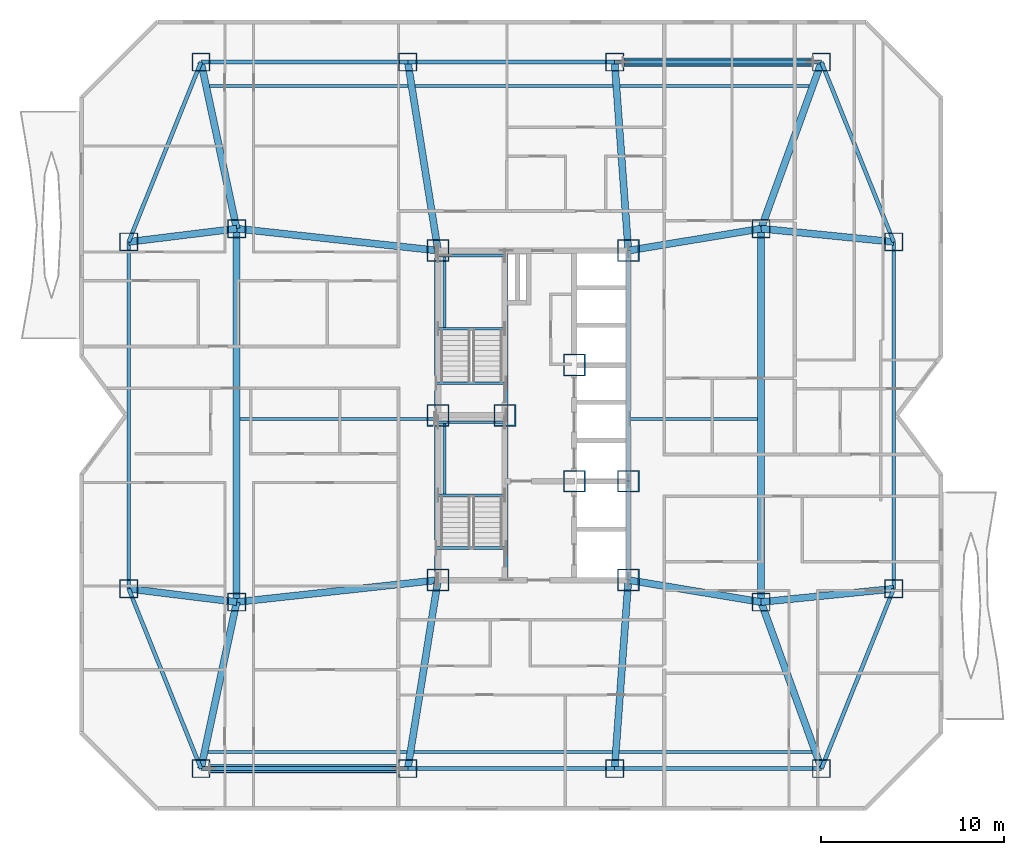
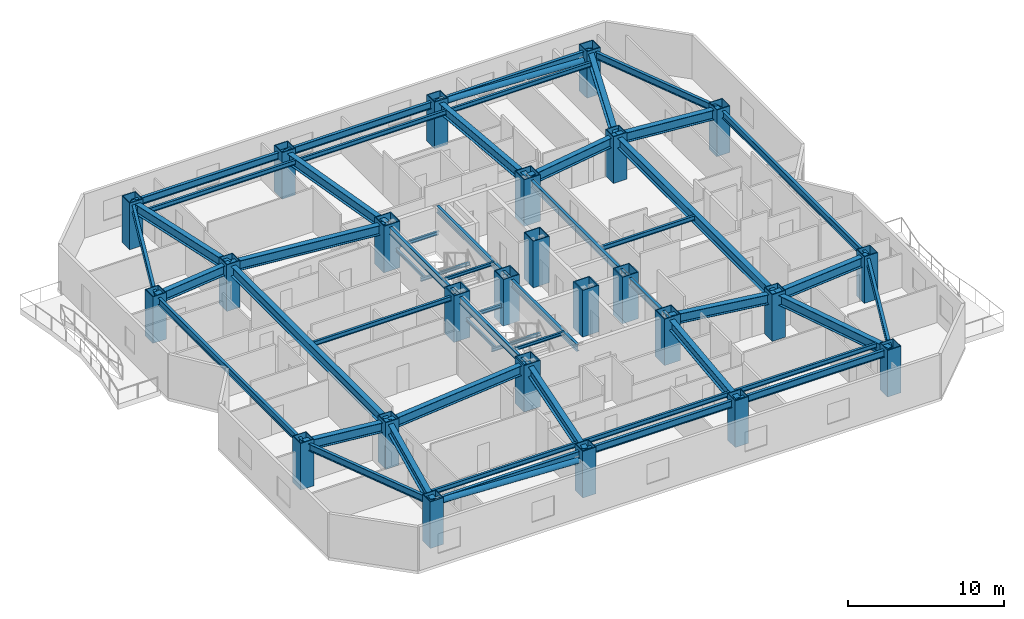
# One storey, part 1 of 14: 52 beams, 25 columns, 2 members.
"""IFC4 building model written with IfcOpenShell, lengths in metres."""

from ifc_helpers import new_model, si_unit, direction, frame, origin, origin_2d, place, context, subcontext, project, spatial, hollow_rectangle, hollow_circle, i_section, extrude, material, material_profile, profile_set, type_object, element, save


model = new_model("IFC4")

# Units and contexts
model_context = context("Model", 3, precision=1e-05, world=origin(), true_north=direction((0.0, 1.0)))
body_context = subcontext(model_context, "Body", "Model", "MODEL_VIEW")
ifc_project = project(units=[si_unit("LENGTHUNIT", "METRE"), si_unit("AREAUNIT", "SQUARE_METRE"), si_unit("VOLUMEUNIT", "CUBIC_METRE"), si_unit("PLANEANGLEUNIT", "RADIAN"), si_unit("MASSUNIT", "GRAM", prefix="KILO")], contexts=[model_context])

# Site, building, storey
site_placement = place(None, origin())
site = spatial("IfcSite", under=ifc_project, at=site_placement, CompositionType="ELEMENT")
building_placement = place(site_placement, origin())
building = spatial("IfcBuilding", under=site, at=building_placement, Name="Khamvora Tower", CompositionType="ELEMENT")
storey_placement = place(building_placement, frame((0.0, 0.0, 123.800048828125)))
storey = spatial("IfcBuildingStorey", under=building, at=storey_placement, Name="L31", CompositionType="ELEMENT", Elevation=123.800048828125)

# Columns
ifc_material_1 = material(Name="Steel S355", Category="steel")
ifc_material_profile_1 = material_profile(ifc_material_1, hollow_rectangle(XDim=1.0, YDim=1.0, WallThickness=0.050048828125, at=origin_2d()), Name="BOX1000x1000x50")
ifc_profile_set_1 = profile_set([ifc_material_profile_1], Name="Steel S355")
column_type_1 = type_object("IfcColumnType", Name="COL-BOX1000", PredefinedType="COLUMN", material=ifc_profile_set_1)
for number, where, z_axis, x_axis, name in (
    (1, (16.050048828125, 8.699951171875, 0.0), (0.0, 0.0, 1.0), (1.0, 0.0, 0.0), "L31 structural frame column S1"),
    (2, (27.35009765625, 8.699951171875, 0.0), (0.0, 0.0, 1.0), (1.0, 0.0, 0.0), "L31 structural frame column S2"),
    (3, (38.64990234375, 8.699951171875, 0.0), (0.0, 0.0, 1.0), (1.0, 0.0, 0.0), "L31 structural frame column S3"),
    (4, (49.949951171875, 8.699951171875, 0.0), (0.0, 0.0, 1.0), (1.0, 0.0, 0.0), "L31 structural frame column S4"),
    (5, (16.050048828125, 47.300048828125, 0.0), (0.0, 0.0, 1.0), (1.0, 0.0, 0.0), "L31 structural frame column N1"),
    (6, (27.35009765625, 47.300048828125, 0.0), (0.0, 0.0, 1.0), (1.0, 0.0, 0.0), "L31 structural frame column N2"),
    (7, (38.64990234375, 47.300048828125, 0.0), (0.0, 0.0, 1.0), (1.0, 0.0, 0.0), "L31 structural frame column N3"),
    (8, (49.949951171875, 47.300048828125, 0.0), (0.0, 0.0, 1.0), (1.0, 0.0, 0.0), "L31 structural frame column N4"),
    (9, (12.10009765625, 18.52490234375, 0.0), (0.0, 0.0, 1.0), (1.0, 0.0, 0.0), "L31 structural frame column W1"),
    (10, (12.10009765625, 37.47509765625, 0.0), (0.0, 0.0, 1.0), (1.0, 0.0, 0.0), "L31 structural frame column W2"),
    (11, (53.89990234375, 18.52490234375, 0.0), (0.0, 0.0, 1.0), (1.0, 0.0, 0.0), "L31 structural frame column E1"),
    (12, (53.89990234375, 37.47509765625, 0.0), (0.0, 0.0, 1.0), (1.0, 0.0, 0.0), "L31 structural frame column E2"),
    (13, (18.0, 17.800048828125, 0.0), (0.0, 0.0, 1.0), (1.0, 0.0, 0.0), "L31 structural frame column MW1"),
    (14, (18.0, 38.199951171875, 0.0), (0.0, 0.0, 1.0), (1.0, 0.0, 0.0), "L31 structural frame column MW2"),
    (15, (46.64990234375, 17.800048828125, 0.0), (0.0, 0.0, 1.0), (1.0, 0.0, 0.0), "L31 structural frame column M1"),
    (16, (46.64990234375, 38.199951171875, 0.0), (0.0, 0.0, 1.0), (1.0, 0.0, 0.0), "L31 structural frame column M2"),
):
    element("IfcColumn", number, at=place(storey_placement, frame(where, z_axis=z_axis, x_axis=x_axis)), inside=storey, type_object=column_type_1, Name=name, PredefinedType="COLUMN", context=body_context, shape_type="SweptSolid", body=[
        extrude(hollow_rectangle(XDim=1.0, YDim=1.0, WallThickness=0.050048828125, at=origin_2d()), origin(), (0.0, 0.0, 1.0), 3.64990234375),
    ])
ifc_material_2 = material(Name="Steel S460", Category="steel")
ifc_material_profile_2 = material_profile(ifc_material_2, hollow_rectangle(XDim=1.199951171875, YDim=1.199951171875, WallThickness=0.06005859375, at=origin_2d()), Name="BOX1200x1200x60")
ifc_profile_set_2 = profile_set([ifc_material_profile_2], Name="Steel S460")
column_type_2 = type_object("IfcColumnType", Name="COL-BOX1200", PredefinedType="COLUMN", material=ifc_profile_set_2)
for number, where, z_axis, x_axis, name in (
    (17, (29.0, 19.0, 0.0), (0.0, 0.0, 1.0), (1.0, 0.0, 0.0), "L31 plumb core spine column SC1"),
    (18, (32.64990234375, 28.0, 0.0), (0.0, 0.0, 1.0), (1.0, 0.0, 0.0), "L31 plumb core spine column SC2"),
    (19, (39.39990234375, 19.0, 0.0), (0.0, 0.0, 1.0), (1.0, 0.0, 0.0), "L31 plumb core spine column SC3"),
    (20, (29.0, 28.0, 0.0), (0.0, 0.0, 1.0), (1.0, 0.0, 0.0), "L31 plumb core spine column SC4"),
    (21, (36.449951171875, 24.39990234375, 0.0), (0.0, 0.0, 1.0), (1.0, 0.0, 0.0), "L31 plumb core spine column SC5"),
    (22, (39.39990234375, 24.39990234375, 0.0), (0.0, 0.0, 1.0), (1.0, 0.0, 0.0), "L31 plumb core spine column SC6"),
    (23, (29.0, 37.0, 0.0), (0.0, 0.0, 1.0), (1.0, 0.0, 0.0), "L31 plumb core spine column SC7"),
    (24, (36.449951171875, 30.75, 0.0), (0.0, 0.0, 1.0), (1.0, 0.0, 0.0), "L31 plumb core spine column SC8"),
    (25, (39.39990234375, 37.0, 0.0), (0.0, 0.0, 1.0), (1.0, 0.0, 0.0), "L31 plumb core spine column SC9"),
):
    element("IfcColumn", number, at=place(storey_placement, frame(where, z_axis=z_axis, x_axis=x_axis)), inside=storey, type_object=column_type_2, Name=name, PredefinedType="COLUMN", context=body_context, shape_type="SweptSolid", body=[
        extrude(hollow_rectangle(XDim=1.199951171875, YDim=1.199951171875, WallThickness=0.06005859375, at=origin_2d()), origin(), (0.0, 0.0, 1.0), 3.64990234375),
    ])

# Beams
ifc_material_profile_3 = material_profile(ifc_material_1, i_section(OverallWidth=0.1708984375, OverallDepth=0.35498046875, WebThickness=0.007080078125, FlangeThickness=0.011962890625, FilletRadius=0.010009765625, at=origin_2d()), Name="W360x51")
ifc_profile_set_3 = profile_set([ifc_material_profile_3], Name="Steel S355")
beam_type_1 = type_object("IfcBeamType", Name="BM-JS-W360x51", PredefinedType="JOIST", material=ifc_profile_set_3)
beam_1_placement = place(storey_placement, frame((16.43310546875, 9.60009765625, 3.2529296875), z_axis=(1.0, 0.0, 0.0), x_axis=(0.0, 1.0, 0.0)))
element("IfcBeam", 26, at=beam_1_placement, inside=storey, type_object=beam_type_1, Name="L31 secondary floor joist 01", PredefinedType="JOIST", context=body_context, shape_type="SweptSolid", body=[
    extrude(i_section(OverallWidth=0.1708984375, OverallDepth=0.35498046875, WebThickness=0.007080078125, FlangeThickness=0.011962890625, FilletRadius=0.010009765625, at=origin_2d()), origin(), (0.0, 0.0, 1.0), 10.872802734375),
])
beam_2_placement = place(storey_placement, frame((27.681884765625, 9.60009765625, 3.2529296875), z_axis=(1.0, 0.0, 0.0), x_axis=(0.0, 1.0, 0.0)))
element("IfcBeam", 27, at=beam_2_placement, inside=storey, type_object=beam_type_1, Name="L31 secondary floor joist 02", PredefinedType="JOIST", context=body_context, shape_type="SweptSolid", body=[
    extrude(i_section(OverallWidth=0.1708984375, OverallDepth=0.35498046875, WebThickness=0.007080078125, FlangeThickness=0.011962890625, FilletRadius=0.010009765625, at=origin_2d()), origin(), (0.0, 0.0, 1.0), 10.84814453125),
])
beam_3_placement = place(storey_placement, frame((38.902099609375, 9.60009765625, 3.2529296875), z_axis=(1.0, 0.0, 0.0), x_axis=(0.0, 1.0, 0.0)))
element("IfcBeam", 28, at=beam_3_placement, inside=storey, type_object=beam_type_1, Name="L31 secondary floor joist 03", PredefinedType="JOIST", context=body_context, shape_type="SweptSolid", body=[
    extrude(i_section(OverallWidth=0.1708984375, OverallDepth=0.35498046875, WebThickness=0.007080078125, FlangeThickness=0.011962890625, FilletRadius=0.010009765625, at=origin_2d()), origin(), (0.0, 0.0, 1.0), 10.52392578125),
])
beam_4_placement = place(storey_placement, frame((18.18603515625, 27.800048828125, 3.2529296875), z_axis=(1.0, 0.0, 0.0), x_axis=(0.0, 1.0, 0.0)))
element("IfcBeam", 29, at=beam_4_placement, inside=storey, type_object=beam_type_1, Name="L31 secondary floor joist 04", PredefinedType="JOIST", context=body_context, shape_type="SweptSolid", body=[
    extrude(i_section(OverallWidth=0.1708984375, OverallDepth=0.35498046875, WebThickness=0.007080078125, FlangeThickness=0.011962890625, FilletRadius=0.010009765625, at=origin_2d()), origin(), (0.0, 0.0, 1.0), 10.614013671875),
])
beam_5_placement = place(storey_placement, frame((39.4990234375, 27.800048828125, 3.2529296875), z_axis=(1.0, 0.0, 0.0), x_axis=(0.0, 1.0, 0.0)))
element("IfcBeam", 30, at=beam_5_placement, inside=storey, type_object=beam_type_1, Name="L31 secondary floor joist 05", PredefinedType="JOIST", context=body_context, shape_type="SweptSolid", body=[
    extrude(i_section(OverallWidth=0.1708984375, OverallDepth=0.35498046875, WebThickness=0.007080078125, FlangeThickness=0.011962890625, FilletRadius=0.010009765625, at=origin_2d()), origin(), (0.0, 0.0, 1.0), 6.966064453125),
])
beam_6_placement = place(storey_placement, frame((16.51806640625, 46.0, 3.2529296875), z_axis=(1.0, 0.0, 0.0), x_axis=(0.0, 1.0, 0.0)))
element("IfcBeam", 31, at=beam_6_placement, inside=storey, type_object=beam_type_1, Name="L31 secondary floor joist 06", PredefinedType="JOIST", context=body_context, shape_type="SweptSolid", body=[
    extrude(i_section(OverallWidth=0.1708984375, OverallDepth=0.35498046875, WebThickness=0.007080078125, FlangeThickness=0.011962890625, FilletRadius=0.010009765625, at=origin_2d()), origin(), (0.0, 0.0, 1.0), 10.85205078125),
])
beam_7_placement = place(storey_placement, frame((27.74609375, 46.0, 3.2529296875), z_axis=(1.0, 0.0, 0.0), x_axis=(0.0, 1.0, 0.0)))
element("IfcBeam", 32, at=beam_7_placement, inside=storey, type_object=beam_type_1, Name="L31 secondary floor joist 07", PredefinedType="JOIST", context=body_context, shape_type="SweptSolid", body=[
    extrude(i_section(OverallWidth=0.1708984375, OverallDepth=0.35498046875, WebThickness=0.007080078125, FlangeThickness=0.011962890625, FilletRadius=0.010009765625, at=origin_2d()), origin(), (0.0, 0.0, 1.0), 10.81298828125),
])
beam_8_placement = place(storey_placement, frame((38.930908203125, 46.0, 3.2529296875), z_axis=(1.0, 0.0, 0.0), x_axis=(0.0, 1.0, 0.0)))
element("IfcBeam", 33, at=beam_8_placement, inside=storey, type_object=beam_type_1, Name="L31 secondary floor joist 08", PredefinedType="JOIST", context=body_context, shape_type="SweptSolid", body=[
    extrude(i_section(OverallWidth=0.1708984375, OverallDepth=0.35498046875, WebThickness=0.007080078125, FlangeThickness=0.011962890625, FilletRadius=0.010009765625, at=origin_2d()), origin(), (0.0, 0.0, 1.0), 10.35009765625),
])
ifc_material_profile_4 = material_profile(ifc_material_1, i_section(OverallWidth=0.14697265625, OverallDepth=0.261962890625, WebThickness=0.007080078125, FlangeThickness=0.010986328125, FilletRadius=0.008056640625, at=origin_2d()), Name="W250x39")
ifc_profile_set_4 = profile_set([ifc_material_profile_4], Name="Steel S355")
beam_type_2 = type_object("IfcBeamType", Name="BM-LN-W250x39", PredefinedType="LINTEL", material=ifc_profile_set_4)
for number, where, z_axis, x_axis, name in (
    (34, (29.0, 23.635009765625, 1.493896484375), (1.0, 0.0, 0.0), (0.0, 1.0, 0.0), "L31 ST-01 half-landing support beam 1.1"),
    (35, (29.0, 27.6298828125, 1.493896484375), (1.0, 0.0, 0.0), (0.0, 1.0, 0.0), "L31 ST-01 half-landing support beam 1.2"),
):
    element("IfcBeam", number, at=place(storey_placement, frame(where, z_axis=z_axis, x_axis=x_axis)), inside=storey, type_object=beam_type_2, Name=name, PredefinedType="LINTEL", context=body_context, shape_type="SweptSolid", body=[
        extrude(i_section(OverallWidth=0.14697265625, OverallDepth=0.261962890625, WebThickness=0.007080078125, FlangeThickness=0.010986328125, FilletRadius=0.008056640625, at=origin_2d()), origin(), (0.0, 0.0, 1.0), 3.64990234375),
    ])
beam_9_placement = place(storey_placement, frame((29.35009765625, 23.635009765625, 1.493896484375), z_axis=(0.0, 1.0, 0.0), x_axis=(-1.0, 0.0, 0.0)))
element("IfcBeam", 36, at=beam_9_placement, inside=storey, type_object=beam_type_2, Name="L31 ST-01 half-landing edge stringer 1", PredefinedType="LINTEL", context=body_context, shape_type="SweptSolid", body=[
    extrude(i_section(OverallWidth=0.14697265625, OverallDepth=0.261962890625, WebThickness=0.007080078125, FlangeThickness=0.010986328125, FilletRadius=0.008056640625, at=origin_2d()), origin(), (0.0, 0.0, 1.0), 3.994873046875),
])
for number, where, z_axis, x_axis, name in (
    (37, (29.0, 32.735107421875, 1.493896484375), (1.0, 0.0, 0.0), (0.0, 1.0, 0.0), "L31 ST-02 half-landing support beam 1.1"),
    (38, (29.0, 36.72998046875, 1.493896484375), (1.0, 0.0, 0.0), (0.0, 1.0, 0.0), "L31 ST-02 half-landing support beam 1.2"),
):
    element("IfcBeam", number, at=place(storey_placement, frame(where, z_axis=z_axis, x_axis=x_axis)), inside=storey, type_object=beam_type_2, Name=name, PredefinedType="LINTEL", context=body_context, shape_type="SweptSolid", body=[
        extrude(i_section(OverallWidth=0.14697265625, OverallDepth=0.261962890625, WebThickness=0.007080078125, FlangeThickness=0.010986328125, FilletRadius=0.008056640625, at=origin_2d()), origin(), (0.0, 0.0, 1.0), 3.64990234375),
    ])
beam_10_placement = place(storey_placement, frame((29.35009765625, 32.735107421875, 1.493896484375), z_axis=(0.0, 1.0, 0.0), x_axis=(-1.0, 0.0, 0.0)))
element("IfcBeam", 39, at=beam_10_placement, inside=storey, type_object=beam_type_2, Name="L31 ST-02 half-landing edge stringer 1", PredefinedType="LINTEL", context=body_context, shape_type="SweptSolid", body=[
    extrude(i_section(OverallWidth=0.14697265625, OverallDepth=0.261962890625, WebThickness=0.007080078125, FlangeThickness=0.010986328125, FilletRadius=0.008056640625, at=origin_2d()), origin(), (0.0, 0.0, 1.0), 3.994873046875),
])
for number, where, z_axis, x_axis, name in (
    (40, (28.89990234375, 20.75, 3.303955078125), (1.0, 0.0, 0.0), (0.0, 1.0, 0.0), "L31 exit stair ST-01 landing trimmer beam"),
    (41, (28.89990234375, 29.75, 3.303955078125), (1.0, 0.0, 0.0), (0.0, 1.0, 0.0), "L31 exit stair ST-02 landing trimmer beam"),
):
    element("IfcBeam", number, at=place(storey_placement, frame(where, z_axis=z_axis, x_axis=x_axis)), inside=storey, type_object=beam_type_2, Name=name, PredefinedType="LINTEL", context=body_context, shape_type="SweptSolid", body=[
        extrude(i_section(OverallWidth=0.14697265625, OverallDepth=0.261962890625, WebThickness=0.007080078125, FlangeThickness=0.010986328125, FilletRadius=0.008056640625, at=origin_2d()), origin(), (0.0, 0.0, 1.0), 3.830078125),
    ])
ifc_material_profile_5 = material_profile(ifc_material_1, i_section(OverallWidth=0.381103515625, OverallDepth=0.77294921875, WebThickness=0.01708984375, FlangeThickness=0.027099609375, FilletRadius=0.01806640625, at=origin_2d()), Name="W760x257")
ifc_profile_set_5 = profile_set([ifc_material_profile_5], Name="Steel S355")
beam_type_3 = type_object("IfcBeamType", Name="BM-PG-W760x257", PredefinedType="BEAM", material=ifc_profile_set_5)
for number, where, z_axis, x_axis, name in (
    (42, (46.64990234375, 17.800048828125, 3.0439453125), (0.0, 1.0, 0.0), (-1.0, 0.0, 0.0), "L31 longitudinal frame girder M1-M2"),
    (43, (18.0, 17.800048828125, 3.0439453125), (0.0, 1.0, 0.0), (-1.0, 0.0, 0.0), "L31 longitudinal frame girder MW1-MW2"),
):
    element("IfcBeam", number, at=place(storey_placement, frame(where, z_axis=z_axis, x_axis=x_axis)), inside=storey, type_object=beam_type_3, Name=name, PredefinedType="BEAM", context=body_context, shape_type="SweptSolid", body=[
        extrude(i_section(OverallWidth=0.381103515625, OverallDepth=0.77294921875, WebThickness=0.01708984375, FlangeThickness=0.027099609375, FilletRadius=0.01806640625, at=origin_2d()), origin(), (0.0, 0.0, 1.0), 20.39990234375),
    ])
beam_11_placement = place(storey_placement, frame((18.0, 17.800048828125, 3.0439453125), z_axis=(-0.209521922673, -0.977803949634, 0.0), x_axis=(0.977803949634, -0.209521922673, 0.0)))
element("IfcBeam", 44, at=beam_11_placement, inside=storey, type_object=beam_type_3, Name="L31 primary floor girder S1", PredefinedType="BEAM", context=body_context, shape_type="SweptSolid", body=[
    extrude(i_section(OverallWidth=0.381103515625, OverallDepth=0.77294921875, WebThickness=0.01708984375, FlangeThickness=0.027099609375, FilletRadius=0.01806640625, at=origin_2d()), origin(), (0.0, 0.0, 1.0), 9.306640625),
])
beam_12_placement = place(storey_placement, frame((29.0, 19.0, 3.0439453125), z_axis=(-0.158167584066, -0.987412282358, 0.0), x_axis=(0.987412282358, -0.158167584066, 0.0)))
element("IfcBeam", 45, at=beam_12_placement, inside=storey, type_object=beam_type_3, Name="L31 primary floor girder S2", PredefinedType="BEAM", context=body_context, shape_type="SweptSolid", body=[
    extrude(i_section(OverallWidth=0.381103515625, OverallDepth=0.77294921875, WebThickness=0.01708984375, FlangeThickness=0.027099609375, FilletRadius=0.01806640625, at=origin_2d()), origin(), (0.0, 0.0, 1.0), 10.431396484375),
])
beam_13_placement = place(storey_placement, frame((39.39990234375, 19.0, 3.0439453125), z_axis=(-0.07262291808, -0.997359469685, 0.0), x_axis=(0.997359469685, -0.07262291808, 0.0)))
element("IfcBeam", 46, at=beam_13_placement, inside=storey, type_object=beam_type_3, Name="L31 primary floor girder S3", PredefinedType="BEAM", context=body_context, shape_type="SweptSolid", body=[
    extrude(i_section(OverallWidth=0.381103515625, OverallDepth=0.77294921875, WebThickness=0.01708984375, FlangeThickness=0.027099609375, FilletRadius=0.01806640625, at=origin_2d()), origin(), (0.0, 0.0, 1.0), 10.327392578125),
])
beam_14_placement = place(storey_placement, frame((46.64990234375, 17.800048828125, 3.0439453125), z_axis=(0.340914681567, -0.940094239899, 0.0), x_axis=(0.940094239899, 0.340914681567, 0.0)))
element("IfcBeam", 47, at=beam_14_placement, inside=storey, type_object=beam_type_3, Name="L31 primary floor girder S4", PredefinedType="BEAM", context=body_context, shape_type="SweptSolid", body=[
    extrude(i_section(OverallWidth=0.381103515625, OverallDepth=0.77294921875, WebThickness=0.01708984375, FlangeThickness=0.027099609375, FilletRadius=0.01806640625, at=origin_2d()), origin(), (0.0, 0.0, 1.0), 9.679931640625),
])
beam_15_placement = place(storey_placement, frame((18.0, 38.199951171875, 3.0439453125), z_axis=(-0.209521922673, 0.977803949634, 0.0), x_axis=(-0.977803949634, -0.209521922673, 0.0)))
element("IfcBeam", 48, at=beam_15_placement, inside=storey, type_object=beam_type_3, Name="L31 primary floor girder N1", PredefinedType="BEAM", context=body_context, shape_type="SweptSolid", body=[
    extrude(i_section(OverallWidth=0.381103515625, OverallDepth=0.77294921875, WebThickness=0.01708984375, FlangeThickness=0.027099609375, FilletRadius=0.01806640625, at=origin_2d()), origin(), (0.0, 0.0, 1.0), 9.306640625),
])
beam_16_placement = place(storey_placement, frame((29.0, 37.0, 3.0439453125), z_axis=(-0.158167584066, 0.987412282358, 0.0), x_axis=(-0.987412282358, -0.158167584066, 0.0)))
element("IfcBeam", 49, at=beam_16_placement, inside=storey, type_object=beam_type_3, Name="L31 primary floor girder N2", PredefinedType="BEAM", context=body_context, shape_type="SweptSolid", body=[
    extrude(i_section(OverallWidth=0.381103515625, OverallDepth=0.77294921875, WebThickness=0.01708984375, FlangeThickness=0.027099609375, FilletRadius=0.01806640625, at=origin_2d()), origin(), (0.0, 0.0, 1.0), 10.431396484375),
])
beam_17_placement = place(storey_placement, frame((39.39990234375, 37.0, 3.0439453125), z_axis=(-0.07262291808, 0.997359469685, 0.0), x_axis=(-0.997359469685, -0.07262291808, 0.0)))
element("IfcBeam", 50, at=beam_17_placement, inside=storey, type_object=beam_type_3, Name="L31 primary floor girder N3", PredefinedType="BEAM", context=body_context, shape_type="SweptSolid", body=[
    extrude(i_section(OverallWidth=0.381103515625, OverallDepth=0.77294921875, WebThickness=0.01708984375, FlangeThickness=0.027099609375, FilletRadius=0.01806640625, at=origin_2d()), origin(), (0.0, 0.0, 1.0), 10.327392578125),
])
beam_18_placement = place(storey_placement, frame((46.64990234375, 38.199951171875, 3.0439453125), z_axis=(0.340914681567, 0.940094239899, 0.0), x_axis=(-0.940094239899, 0.340914681567, 0.0)))
element("IfcBeam", 51, at=beam_18_placement, inside=storey, type_object=beam_type_3, Name="L31 primary floor girder N4", PredefinedType="BEAM", context=body_context, shape_type="SweptSolid", body=[
    extrude(i_section(OverallWidth=0.381103515625, OverallDepth=0.77294921875, WebThickness=0.01708984375, FlangeThickness=0.027099609375, FilletRadius=0.01806640625, at=origin_2d()), origin(), (0.0, 0.0, 1.0), 9.679931640625),
])
for number, where, z_axis, x_axis, name in (
    (52, (18.0, 17.800048828125, 3.0439453125), (-0.992537264608, 0.12194170068, 0.0), (-0.12194170068, -0.992537264608, 0.0), "L31 primary floor girder W1"),
    (53, (18.0, 38.199951171875, 3.0439453125), (-0.992537264608, -0.12194170068, 0.0), (0.12194170068, -0.992537264608, 0.0), "L31 primary floor girder W2"),
):
    element("IfcBeam", number, at=place(storey_placement, frame(where, z_axis=z_axis, x_axis=x_axis)), inside=storey, type_object=beam_type_3, Name=name, PredefinedType="BEAM", context=body_context, shape_type="SweptSolid", body=[
        extrude(i_section(OverallWidth=0.381103515625, OverallDepth=0.77294921875, WebThickness=0.01708984375, FlangeThickness=0.027099609375, FilletRadius=0.01806640625, at=origin_2d()), origin(), (0.0, 0.0, 1.0), 5.9443359375),
    ])
for number, where, z_axis, x_axis, name in (
    (54, (46.64990234375, 17.800048828125, 3.0439453125), (0.995039180556, 0.099483813546, 0.0), (-0.099483813546, 0.995039180556, 0.0), "L31 primary floor girder E1"),
    (55, (46.64990234375, 38.199951171875, 3.0439453125), (0.995039180556, -0.099483813546, 0.0), (0.099483813546, 0.995039180556, 0.0), "L31 primary floor girder E2"),
):
    element("IfcBeam", number, at=place(storey_placement, frame(where, z_axis=z_axis, x_axis=x_axis)), inside=storey, type_object=beam_type_3, Name=name, PredefinedType="BEAM", context=body_context, shape_type="SweptSolid", body=[
        extrude(i_section(OverallWidth=0.381103515625, OverallDepth=0.77294921875, WebThickness=0.01708984375, FlangeThickness=0.027099609375, FilletRadius=0.01806640625, at=origin_2d()), origin(), (0.0, 0.0, 1.0), 7.2861328125),
    ])
for number, where, z_axis, x_axis, name in (
    (56, (29.0, 19.0, 3.0439453125), (-0.994102652327, -0.108443149329, 0.0), (0.108443149329, -0.994102652327, 0.0), "L31 primary floor girder MW1"),
    (57, (29.0, 37.0, 3.0439453125), (-0.994102652327, 0.108443149329, 0.0), (-0.108443149329, -0.994102652327, 0.0), "L31 primary floor girder MW2"),
):
    element("IfcBeam", number, at=place(storey_placement, frame(where, z_axis=z_axis, x_axis=x_axis)), inside=storey, type_object=beam_type_3, Name=name, PredefinedType="BEAM", context=body_context, shape_type="SweptSolid", body=[
        extrude(i_section(OverallWidth=0.381103515625, OverallDepth=0.77294921875, WebThickness=0.01708984375, FlangeThickness=0.027099609375, FilletRadius=0.01806640625, at=origin_2d()), origin(), (0.0, 0.0, 1.0), 11.065185546875),
    ])
for number, where, z_axis, x_axis, name in (
    (58, (39.39990234375, 19.0, 3.0439453125), (0.986578268552, -0.163289068896, 0.0), (0.163289068896, 0.986578268552, 0.0), "L31 primary floor girder M1"),
    (59, (39.39990234375, 37.0, 3.0439453125), (0.986578268552, 0.163289068896, 0.0), (-0.163289068896, 0.986578268552, 0.0), "L31 primary floor girder M2"),
):
    element("IfcBeam", number, at=place(storey_placement, frame(where, z_axis=z_axis, x_axis=x_axis)), inside=storey, type_object=beam_type_3, Name=name, PredefinedType="BEAM", context=body_context, shape_type="SweptSolid", body=[
        extrude(i_section(OverallWidth=0.381103515625, OverallDepth=0.77294921875, WebThickness=0.01708984375, FlangeThickness=0.027099609375, FilletRadius=0.01806640625, at=origin_2d()), origin(), (0.0, 0.0, 1.0), 7.3486328125),
    ])
ifc_material_profile_6 = material_profile(ifc_material_1, i_section(OverallWidth=0.2119140625, OverallDepth=0.5439453125, WebThickness=0.012939453125, FlangeThickness=0.02099609375, FilletRadius=0.013916015625, at=origin_2d()), Name="W530x123")
ifc_profile_set_6 = profile_set([ifc_material_profile_6], Name="Steel S355")
beam_type_4 = type_object("IfcBeamType", Name="BM-SP-W530x123", PredefinedType="SPANDREL", material=ifc_profile_set_6)
beam_19_placement = place(storey_placement, frame((12.10009765625, 18.52490234375, 3.157958984375), z_axis=(0.373015921536, -0.927824941614, 0.0), x_axis=(0.927824941614, 0.373015921536, 0.0)))
element("IfcBeam", 60, at=beam_19_placement, inside=storey, type_object=beam_type_4, Name="L31 perimeter spandrel beam W1-S1", PredefinedType="SPANDREL", context=body_context, shape_type="SweptSolid", body=[
    extrude(i_section(OverallWidth=0.2119140625, OverallDepth=0.5439453125, WebThickness=0.012939453125, FlangeThickness=0.02099609375, FilletRadius=0.013916015625, at=origin_2d()), origin(), (0.0, 0.0, 1.0), 10.589111328125),
])
beam_20_placement = place(storey_placement, frame((16.050048828125, 8.699951171875, 3.157958984375), z_axis=(1.0, 0.0, 0.0), x_axis=(0.0, 1.0, 0.0)))
element("IfcBeam", 61, at=beam_20_placement, inside=storey, type_object=beam_type_4, Name="L31 perimeter spandrel beam S1-S2", PredefinedType="SPANDREL", context=body_context, shape_type="SweptSolid", body=[
    extrude(i_section(OverallWidth=0.2119140625, OverallDepth=0.5439453125, WebThickness=0.012939453125, FlangeThickness=0.02099609375, FilletRadius=0.013916015625, at=origin_2d()), origin(), (0.0, 0.0, 1.0), 11.300048828125),
])
beam_21_placement = place(storey_placement, frame((27.35009765625, 8.699951171875, 3.157958984375), z_axis=(1.0, 0.0, 0.0), x_axis=(0.0, 1.0, 0.0)))
element("IfcBeam", 62, at=beam_21_placement, inside=storey, type_object=beam_type_4, Name="L31 perimeter spandrel beam S2-S3", PredefinedType="SPANDREL", context=body_context, shape_type="SweptSolid", body=[
    extrude(i_section(OverallWidth=0.2119140625, OverallDepth=0.5439453125, WebThickness=0.012939453125, FlangeThickness=0.02099609375, FilletRadius=0.013916015625, at=origin_2d()), origin(), (0.0, 0.0, 1.0), 11.2998046875),
])
beam_22_placement = place(storey_placement, frame((38.64990234375, 8.699951171875, 3.157958984375), z_axis=(1.0, 0.0, 0.0), x_axis=(0.0, 1.0, 0.0)))
element("IfcBeam", 63, at=beam_22_placement, inside=storey, type_object=beam_type_4, Name="L31 perimeter spandrel beam S3-S4", PredefinedType="SPANDREL", context=body_context, shape_type="SweptSolid", body=[
    extrude(i_section(OverallWidth=0.2119140625, OverallDepth=0.5439453125, WebThickness=0.012939453125, FlangeThickness=0.02099609375, FilletRadius=0.013916015625, at=origin_2d()), origin(), (0.0, 0.0, 1.0), 11.300048828125),
])
beam_23_placement = place(storey_placement, frame((49.949951171875, 8.699951171875, 3.157958984375), z_axis=(0.373015921536, 0.927824941614, 0.0), x_axis=(-0.927824941614, 0.373015921536, 0.0)))
element("IfcBeam", 64, at=beam_23_placement, inside=storey, type_object=beam_type_4, Name="L31 perimeter spandrel beam S4-E1", PredefinedType="SPANDREL", context=body_context, shape_type="SweptSolid", body=[
    extrude(i_section(OverallWidth=0.2119140625, OverallDepth=0.5439453125, WebThickness=0.012939453125, FlangeThickness=0.02099609375, FilletRadius=0.013916015625, at=origin_2d()), origin(), (0.0, 0.0, 1.0), 10.589111328125),
])
beam_24_placement = place(storey_placement, frame((53.89990234375, 18.52490234375, 3.157958984375), z_axis=(0.0, 1.0, 0.0), x_axis=(-1.0, 0.0, 0.0)))
element("IfcBeam", 65, at=beam_24_placement, inside=storey, type_object=beam_type_4, Name="L31 perimeter spandrel beam E1-E2", PredefinedType="SPANDREL", context=body_context, shape_type="SweptSolid", body=[
    extrude(i_section(OverallWidth=0.2119140625, OverallDepth=0.5439453125, WebThickness=0.012939453125, FlangeThickness=0.02099609375, FilletRadius=0.013916015625, at=origin_2d()), origin(), (0.0, 0.0, 1.0), 18.9501953125),
])
beam_25_placement = place(storey_placement, frame((53.89990234375, 37.47509765625, 3.157958984375), z_axis=(-0.373015921536, 0.927824941614, 0.0), x_axis=(-0.927824941614, -0.373015921536, 0.0)))
element("IfcBeam", 66, at=beam_25_placement, inside=storey, type_object=beam_type_4, Name="L31 perimeter spandrel beam E2-N4", PredefinedType="SPANDREL", context=body_context, shape_type="SweptSolid", body=[
    extrude(i_section(OverallWidth=0.2119140625, OverallDepth=0.5439453125, WebThickness=0.012939453125, FlangeThickness=0.02099609375, FilletRadius=0.013916015625, at=origin_2d()), origin(), (0.0, 0.0, 1.0), 10.589111328125),
])
beam_26_placement = place(storey_placement, frame((49.949951171875, 47.300048828125, 3.157958984375), z_axis=(-1.0, 0.0, 0.0), x_axis=(0.0, -1.0, 0.0)))
element("IfcBeam", 67, at=beam_26_placement, inside=storey, type_object=beam_type_4, Name="L31 perimeter spandrel beam N4-N3", PredefinedType="SPANDREL", context=body_context, shape_type="SweptSolid", body=[
    extrude(i_section(OverallWidth=0.2119140625, OverallDepth=0.5439453125, WebThickness=0.012939453125, FlangeThickness=0.02099609375, FilletRadius=0.013916015625, at=origin_2d()), origin(), (0.0, 0.0, 1.0), 11.300048828125),
])
beam_27_placement = place(storey_placement, frame((38.64990234375, 47.300048828125, 3.157958984375), z_axis=(-1.0, 0.0, 0.0), x_axis=(0.0, -1.0, 0.0)))
element("IfcBeam", 68, at=beam_27_placement, inside=storey, type_object=beam_type_4, Name="L31 perimeter spandrel beam N3-N2", PredefinedType="SPANDREL", context=body_context, shape_type="SweptSolid", body=[
    extrude(i_section(OverallWidth=0.2119140625, OverallDepth=0.5439453125, WebThickness=0.012939453125, FlangeThickness=0.02099609375, FilletRadius=0.013916015625, at=origin_2d()), origin(), (0.0, 0.0, 1.0), 11.2998046875),
])
beam_28_placement = place(storey_placement, frame((27.35009765625, 47.300048828125, 3.157958984375), z_axis=(-1.0, 0.0, 0.0), x_axis=(0.0, -1.0, 0.0)))
element("IfcBeam", 69, at=beam_28_placement, inside=storey, type_object=beam_type_4, Name="L31 perimeter spandrel beam N2-N1", PredefinedType="SPANDREL", context=body_context, shape_type="SweptSolid", body=[
    extrude(i_section(OverallWidth=0.2119140625, OverallDepth=0.5439453125, WebThickness=0.012939453125, FlangeThickness=0.02099609375, FilletRadius=0.013916015625, at=origin_2d()), origin(), (0.0, 0.0, 1.0), 11.300048828125),
])
beam_29_placement = place(storey_placement, frame((16.050048828125, 47.300048828125, 3.157958984375), z_axis=(-0.373015921536, -0.927824941614, 0.0), x_axis=(0.927824941614, -0.373015921536, 0.0)))
element("IfcBeam", 70, at=beam_29_placement, inside=storey, type_object=beam_type_4, Name="L31 perimeter spandrel beam N1-W2", PredefinedType="SPANDREL", context=body_context, shape_type="SweptSolid", body=[
    extrude(i_section(OverallWidth=0.2119140625, OverallDepth=0.5439453125, WebThickness=0.012939453125, FlangeThickness=0.02099609375, FilletRadius=0.013916015625, at=origin_2d()), origin(), (0.0, 0.0, 1.0), 10.589111328125),
])
beam_30_placement = place(storey_placement, frame((12.10009765625, 37.47509765625, 3.157958984375), z_axis=(0.0, -1.0, 0.0), x_axis=(1.0, 0.0, 0.0)))
element("IfcBeam", 71, at=beam_30_placement, inside=storey, type_object=beam_type_4, Name="L31 perimeter spandrel beam W2-W1", PredefinedType="SPANDREL", context=body_context, shape_type="SweptSolid", body=[
    extrude(i_section(OverallWidth=0.2119140625, OverallDepth=0.5439453125, WebThickness=0.012939453125, FlangeThickness=0.02099609375, FilletRadius=0.013916015625, at=origin_2d()), origin(), (0.0, 0.0, 1.0), 18.9501953125),
])
ifc_material_profile_7 = material_profile(ifc_material_1, i_section(OverallWidth=0.208984375, OverallDepth=0.532958984375, WebThickness=0.010009765625, FlangeThickness=0.01611328125, FilletRadius=0.013916015625, at=origin_2d()), Name="W530x92")
ifc_profile_set_7 = profile_set([ifc_material_profile_7], Name="Steel S355")
beam_type_5 = type_object("IfcBeamType", Name="BM-SP-W530x92", PredefinedType="SPANDREL", material=ifc_profile_set_7)
for number, where, z_axis, x_axis, name in (
    (72, (28.89990234375, 19.0, 3.1640625), (0.0, 1.0, 0.0), (-1.0, 0.0, 0.0), "L31 core spine girder WS"),
    (73, (28.89990234375, 28.0, 3.1640625), (0.0, 1.0, 0.0), (-1.0, 0.0, 0.0), "L31 core spine girder WN"),
    (74, (32.72998046875, 19.0, 3.1640625), (0.0, 1.0, 0.0), (-1.0, 0.0, 0.0), "L31 core spine girder M1S"),
    (75, (32.72998046875, 28.0, 3.1640625), (0.0, 1.0, 0.0), (-1.0, 0.0, 0.0), "L31 core spine girder M1N"),
):
    element("IfcBeam", number, at=place(storey_placement, frame(where, z_axis=z_axis, x_axis=x_axis)), inside=storey, type_object=beam_type_5, Name=name, PredefinedType="SPANDREL", context=body_context, shape_type="SweptSolid", body=[
        extrude(i_section(OverallWidth=0.208984375, OverallDepth=0.532958984375, WebThickness=0.010009765625, FlangeThickness=0.01611328125, FilletRadius=0.013916015625, at=origin_2d()), origin(), (0.0, 0.0, 1.0), 9.0),
    ])
beam_31_placement = place(storey_placement, frame((39.39990234375, 19.0, 3.1640625), z_axis=(0.0, 1.0, 0.0), x_axis=(-1.0, 0.0, 0.0)))
element("IfcBeam", 76, at=beam_31_placement, inside=storey, type_object=beam_type_5, Name="L31 core spine girder ES", PredefinedType="SPANDREL", context=body_context, shape_type="SweptSolid", body=[
    extrude(i_section(OverallWidth=0.208984375, OverallDepth=0.532958984375, WebThickness=0.010009765625, FlangeThickness=0.01611328125, FilletRadius=0.013916015625, at=origin_2d()), origin(), (0.0, 0.0, 1.0), 5.39990234375),
])
beam_32_placement = place(storey_placement, frame((39.39990234375, 24.39990234375, 3.1640625), z_axis=(0.0, 1.0, 0.0), x_axis=(-1.0, 0.0, 0.0)))
element("IfcBeam", 77, at=beam_32_placement, inside=storey, type_object=beam_type_5, Name="L31 core spine girder EN", PredefinedType="SPANDREL", context=body_context, shape_type="SweptSolid", body=[
    extrude(i_section(OverallWidth=0.208984375, OverallDepth=0.532958984375, WebThickness=0.010009765625, FlangeThickness=0.01611328125, FilletRadius=0.013916015625, at=origin_2d()), origin(), (0.0, 0.0, 1.0), 12.60009765625),
])

# Members
ifc_material_profile_8 = material_profile(ifc_material_1, hollow_circle(Radius=0.228515625, WallThickness=0.02001953125, at=origin_2d()), Name="CHS457x20")
ifc_profile_set_8 = profile_set([ifc_material_profile_8], Name="Steel S355")
member_type = type_object("IfcMemberType", Name="MEM-BR-CHS457", PredefinedType="BRACE", material=ifc_profile_set_8)
for number, where, z_axis, x_axis, name in (
    (78, (26.8701171875, 8.699951171875, 2.699951171875), (-0.9990880639, 0.0, 0.042697079207), (0.0, -1.0, 0.0), "L31 perimeter wind brace 1"),
    (79, (49.469970703125, 47.300048828125, 2.699951171875), (-0.9990880639, 0.0, 0.042697079207), (0.0, -1.0, 0.0), "L31 perimeter wind brace 2"),
):
    element("IfcMember", number, at=place(storey_placement, frame(where, z_axis=z_axis, x_axis=x_axis)), inside=storey, type_object=member_type, Name=name, PredefinedType="BRACE", context=body_context, shape_type="SweptSolid", body=[
        extrude(hollow_circle(Radius=0.228515625, WallThickness=0.02001953125, at=origin_2d()), origin(), (0.0, 0.0, 1.0), 10.349609375),
    ])

save(model, "model.ifc")
